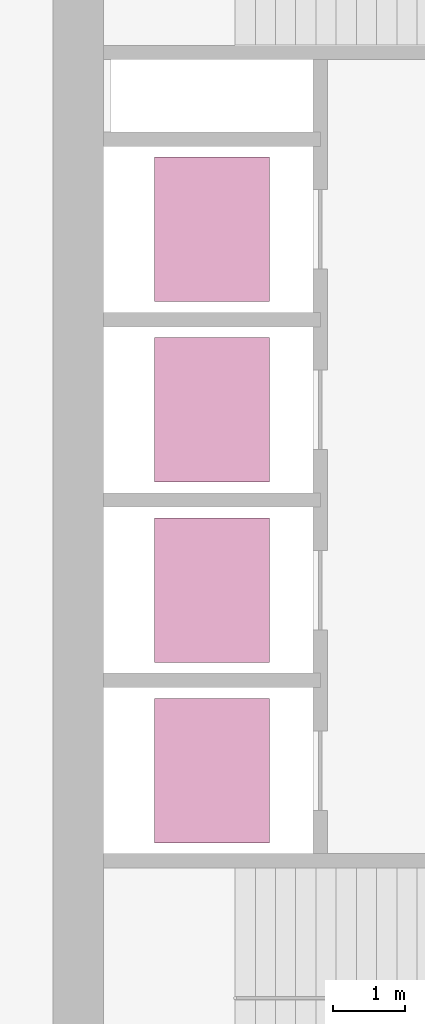
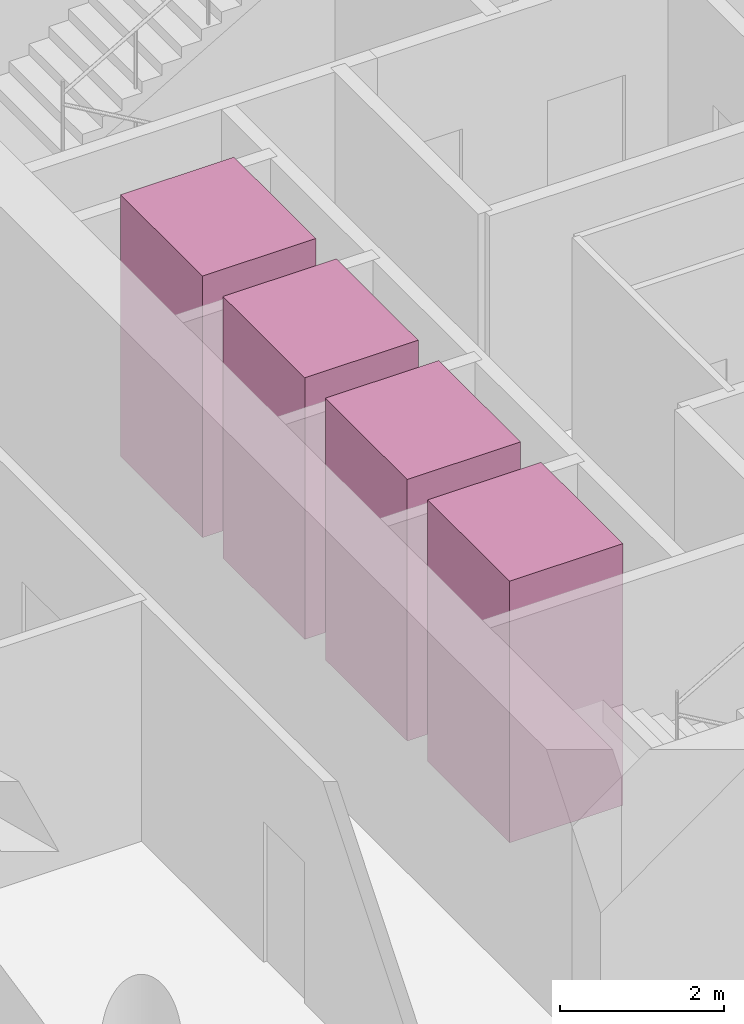
# One storey, part 9 of 9: 4 transport elements.
"""IFC4 building model written with IfcOpenShell, lengths in metres."""

from ifc_helpers import new_model, si_unit, direction, frame, origin, origin_2d, place, context, subcontext, project, spatial, rectangle, extrude, material, type_object, element, save


model = new_model("IFC4")

# Units and contexts
model_context = context("Model", 3, precision=1e-05, world=origin(), true_north=direction((0.0, 1.0)))
body_context = subcontext(model_context, "Body", "Model", "MODEL_VIEW")
ifc_project = project(units=[si_unit("LENGTHUNIT", "METRE"), si_unit("AREAUNIT", "SQUARE_METRE"), si_unit("VOLUMEUNIT", "CUBIC_METRE"), si_unit("PLANEANGLEUNIT", "RADIAN"), si_unit("MASSUNIT", "GRAM", prefix="KILO")], contexts=[model_context])

# Site, building, storey
site_placement = place(None, origin())
site = spatial("IfcSite", under=ifc_project, at=site_placement, CompositionType="ELEMENT")
building_placement = place(site_placement, origin())
building = spatial("IfcBuilding", under=site, at=building_placement, Name="Qaws Garden Tower", CompositionType="ELEMENT")
storey_placement = place(building_placement, frame((0.0, 0.0, 170.699951171875)))
storey = spatial("IfcBuildingStorey", under=building, at=storey_placement, Name="L41", CompositionType="ELEMENT", Elevation=170.699951171875)

# Transport elements
ifc_material = material(Name="Stainless steel 316", Category="steel")
transport_element_type = type_object("IfcTransportElementType", Name="Passenger lift car 2000x1600 1800 kg", PredefinedType="ELEVATOR", material=ifc_material)
for number, where, z_axis, x_axis, name in (
    (1, (10.199951171875, 13.64990234375, 0.0), (0.0, 0.0, 1.0), (1.0, 0.0, 0.0), "MR1"),
    (2, (10.199951171875, 16.14990234375, 0.0), (0.0, 0.0, 1.0), (1.0, 0.0, 0.0), "MR2"),
    (3, (10.199951171875, 18.64990234375, 0.0), (0.0, 0.0, 1.0), (1.0, 0.0, 0.0), "MR3"),
    (4, (10.199951171875, 21.14990234375, 0.0), (0.0, 0.0, 1.0), (1.0, 0.0, 0.0), "MR4"),
):
    element("IfcTransportElement", number, at=place(storey_placement, frame(where, z_axis=z_axis, x_axis=x_axis)), inside=storey, type_object=transport_element_type, Name=name, PredefinedType="ELEVATOR", context=body_context, shape_type="SweptSolid", body=[
        extrude(rectangle(XDim=1.60009765625, YDim=2.0, at=origin_2d()), origin(), (0.0, 0.0, 1.0), 3.89990234375),
    ])

save(model, "model.ifc")
